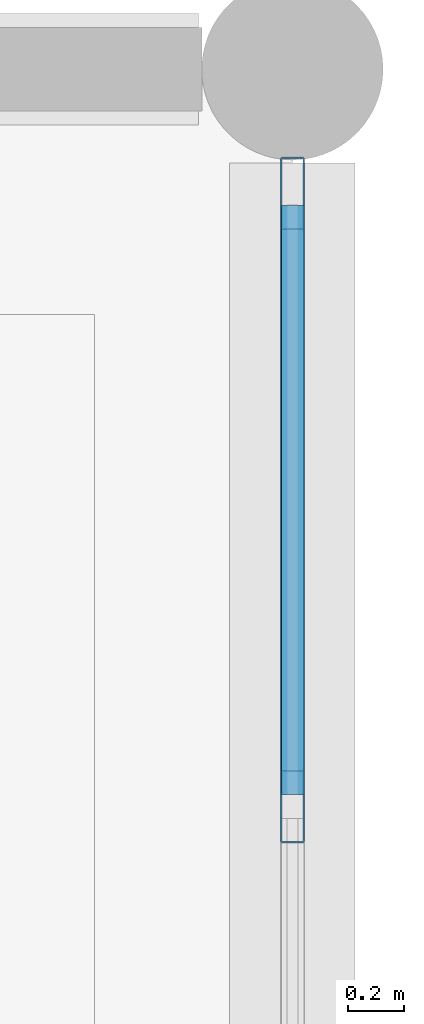
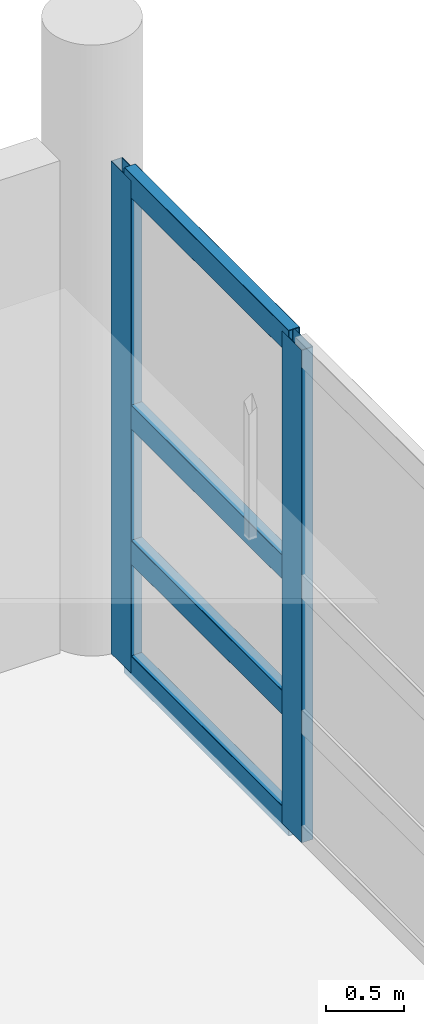
# One storey, part 57 of 107: 6 members, 1 element without a shape of its own.
"""IFC4 building model written with IfcOpenShell, lengths in metres."""

from ifc_helpers import new_model, si_unit, direction, frame, origin, origin_2d, place, context, subcontext, project, spatial, hollow_rectangle, extrude, material, material_profile, profile_set, type_object, element, aggregate, save


model = new_model("IFC4")

# Units and contexts
model_context = context("Model", 3, precision=1e-05, world=origin(), true_north=direction((0.0, 1.0)))
body_context = subcontext(model_context, "Body", "Model", "MODEL_VIEW")
ifc_project = project(units=[si_unit("LENGTHUNIT", "METRE"), si_unit("AREAUNIT", "SQUARE_METRE"), si_unit("VOLUMEUNIT", "CUBIC_METRE"), si_unit("PLANEANGLEUNIT", "RADIAN"), si_unit("MASSUNIT", "GRAM", prefix="KILO")], contexts=[model_context])

# Site, building, storey
site_placement = place(None, origin())
site = spatial("IfcSite", under=ifc_project, at=site_placement, CompositionType="ELEMENT")
building_placement = place(site_placement, origin())
building = spatial("IfcBuilding", under=site, at=building_placement, Name="Khelvaren Railside Concert Hall", CompositionType="ELEMENT")
storey_placement = place(building_placement, frame((0.0, 0.0, 15.0)))
storey = spatial("IfcBuildingStorey", under=building, at=storey_placement, Name="L03", CompositionType="ELEMENT", Elevation=15.0)

# Curtain wall, members
ifc_material_1 = material(Name="Acoustic laminated crystal facade glass", Category="glass")
curtain_wall_type = type_object("IfcCurtainWallType", Name="CW21", PredefinedType="USERDEFINED", material=ifc_material_1)
curtain_wall_placement = place(storey_placement, origin())
curtain_wall = element("IfcCurtainWall", 1, at=curtain_wall_placement, inside=storey, type_object=curtain_wall_type, Name="Unitised Curtain Wall CW-V5-L03-E-106", ObjectType="UNITISED CURTAIN WALL", PredefinedType="USERDEFINED")
ifc_material_2 = material(Name="Anodised architectural aluminium 6063-T6", Category="aluminium")
ifc_material_profile_1 = material_profile(ifc_material_2, hollow_rectangle(XDim=0.0849609375, YDim=0.260009765625, WallThickness=0.0048828125, InnerFilletRadius=0.0029296875, OuterFilletRadius=0.0048828125, at=origin_2d()), Name="CWM 85x260x5")
ifc_profile_set_1 = profile_set([ifc_material_profile_1], Name="Anodised architectural aluminium 6063-T6")
member_type_1 = type_object("IfcMemberType", Name="CWM40", PredefinedType="MULLION", material=ifc_profile_set_1)
member_1_placement = place(storey_placement, frame((184.0, 113.554931640625, 0.0), z_axis=(0.0, 0.0, 1.0), x_axis=(1.0, 0.0, 0.0)))
member_1 = element("IfcMember", 2, at=member_1_placement, type_object=member_type_1, Name="CW21 mullion 1", PredefinedType="MULLION", context=body_context, shape_type="SweptSolid", body=[
    extrude(hollow_rectangle(XDim=0.0849609375, YDim=0.260009765625, WallThickness=0.0048828125, InnerFilletRadius=0.0029296875, OuterFilletRadius=0.0048828125, at=origin_2d()), origin(), (0.0, 0.0, 1.0), 3.8701171875),
])
member_2_placement = place(storey_placement, frame((184.0, 111.357421875, 0.0), z_axis=(0.0, 0.0, 1.0), x_axis=(1.0, 0.0, 0.0)))
member_2 = element("IfcMember", 3, at=member_2_placement, type_object=member_type_1, Name="CW21 mullion 2", PredefinedType="MULLION", context=body_context, shape_type="SweptSolid", body=[
    extrude(hollow_rectangle(XDim=0.0849609375, YDim=0.260009765625, WallThickness=0.0048828125, InnerFilletRadius=0.0029296875, OuterFilletRadius=0.0048828125, at=origin_2d()), origin(), (0.0, 0.0, 1.0), 3.8701171875),
])
ifc_material_profile_2 = material_profile(ifc_material_2, hollow_rectangle(XDim=0.0849609375, YDim=0.18994140625, WallThickness=0.0048828125, InnerFilletRadius=0.0029296875, OuterFilletRadius=0.0048828125, at=origin_2d()), Name="CWT 85x190x5")
ifc_profile_set_2 = profile_set([ifc_material_profile_2], Name="Anodised architectural aluminium 6063-T6")
member_type_2 = type_object("IfcMemberType", Name="CWT31", PredefinedType="USERDEFINED", material=ifc_profile_set_2)
member_3_placement = place(storey_placement, frame((184.0, 113.512451171875, 0.04248046875), z_axis=(0.0, -1.0, 0.0), x_axis=(1.0, 0.0, 0.0)))
member_3 = element("IfcMember", 4, at=member_3_placement, type_object=member_type_2, Name="CW21 transom 1.1", ObjectType="TRANSOM", PredefinedType="USERDEFINED", context=body_context, shape_type="SweptSolid", body=[
    extrude(hollow_rectangle(XDim=0.0849609375, YDim=0.18994140625, WallThickness=0.0048828125, InnerFilletRadius=0.0029296875, OuterFilletRadius=0.0048828125, at=origin_2d()), origin(), (0.0, 0.0, 1.0), 2.112548828125),
])
member_4_placement = place(storey_placement, frame((184.0, 113.512451171875, 0.949951171875), z_axis=(0.0, -1.0, 0.0), x_axis=(1.0, 0.0, 0.0)))
member_4 = element("IfcMember", 5, at=member_4_placement, type_object=member_type_2, Name="CW21 transom 1.2", ObjectType="TRANSOM", PredefinedType="USERDEFINED", context=body_context, shape_type="SweptSolid", body=[
    extrude(hollow_rectangle(XDim=0.0849609375, YDim=0.18994140625, WallThickness=0.0048828125, InnerFilletRadius=0.0029296875, OuterFilletRadius=0.0048828125, at=origin_2d()), origin(), (0.0, 0.0, 1.0), 2.112548828125),
])
member_5_placement = place(storey_placement, frame((184.0, 113.512451171875, 2.012451171875), z_axis=(0.0, -1.0, 0.0), x_axis=(1.0, 0.0, 0.0)))
member_5 = element("IfcMember", 6, at=member_5_placement, type_object=member_type_2, Name="CW21 transom 1.3", ObjectType="TRANSOM", PredefinedType="USERDEFINED", context=body_context, shape_type="SweptSolid", body=[
    extrude(hollow_rectangle(XDim=0.0849609375, YDim=0.18994140625, WallThickness=0.0048828125, InnerFilletRadius=0.0029296875, OuterFilletRadius=0.0048828125, at=origin_2d()), origin(), (0.0, 0.0, 1.0), 2.112548828125),
])
member_6_placement = place(storey_placement, frame((184.0, 113.512451171875, 3.827392578125), z_axis=(0.0, -1.0, 0.0), x_axis=(1.0, 0.0, 0.0)))
member_6 = element("IfcMember", 7, at=member_6_placement, type_object=member_type_2, Name="CW21 transom 1.4", ObjectType="TRANSOM", PredefinedType="USERDEFINED", context=body_context, shape_type="SweptSolid", body=[
    extrude(hollow_rectangle(XDim=0.0849609375, YDim=0.18994140625, WallThickness=0.0048828125, InnerFilletRadius=0.0029296875, OuterFilletRadius=0.0048828125, at=origin_2d()), origin(), (0.0, 0.0, 1.0), 2.112548828125),
])
aggregate(curtain_wall, [member_1, member_2, member_3, member_4, member_5, member_6])

save(model, "model.ifc")
